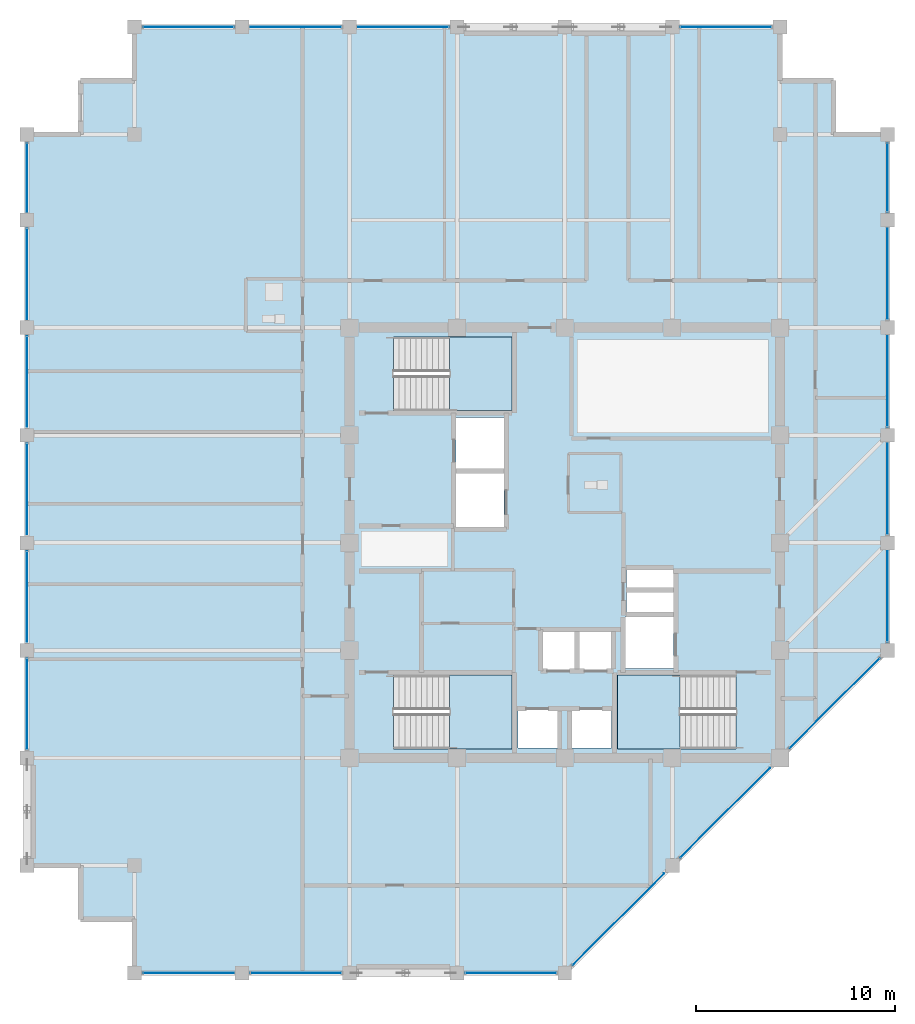
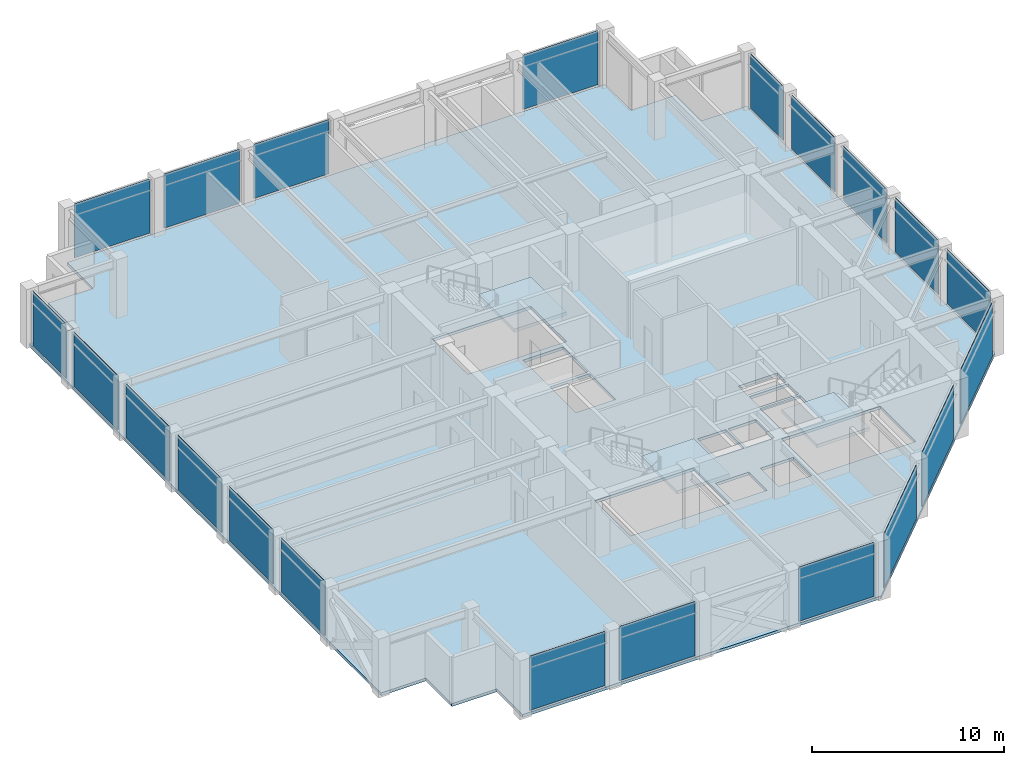
# One storey, part 23 of 30: 21 plates, 4 slabs, 10 elements without a shape of their own.
"""IFC4 building model written with IfcOpenShell, lengths in metres."""

from ifc_helpers import new_model, si_unit, direction, frame, frame_2d, origin, place, context, subcontext, project, spatial, polyline, rectangle, outline, extrude, material, layer, layer_set, type_object, element, aggregate, save


model = new_model("IFC4")

# Units and contexts
model_context = context("Model", 3, precision=1e-05, world=origin(), true_north=direction((0.0, 1.0)))
body_context = subcontext(model_context, "Body", "Model", "MODEL_VIEW")
ifc_project = project(units=[si_unit("LENGTHUNIT", "METRE"), si_unit("AREAUNIT", "SQUARE_METRE"), si_unit("VOLUMEUNIT", "CUBIC_METRE"), si_unit("PLANEANGLEUNIT", "RADIAN"), si_unit("MASSUNIT", "GRAM", prefix="KILO")], contexts=[model_context])

# Site, building, storey
site_placement = place(None, origin())
site = spatial("IfcSite", under=ifc_project, at=site_placement, CompositionType="ELEMENT")
building_placement = place(site_placement, origin())
building = spatial("IfcBuilding", under=site, at=building_placement, Name="Surkhivell Harbour Commons", CompositionType="ELEMENT")
storey_placement = place(building_placement, frame((0.0, 0.0, 292.5)))
storey = spatial("IfcBuildingStorey", under=building, at=storey_placement, Name="L76", CompositionType="ELEMENT", Elevation=292.5)

# Curtain wall, plates
ifc_material_1 = material(Name="Anodised pale-metal aluminium and insulated glazing", Category="aluminium")
ifc_layer_1 = layer(ifc_material_1, 0.175048828125)
ifc_layer_set_1 = layer_set([ifc_layer_1], Name="Anodised pale-metal aluminium and insulated glazing")
curtain_wall_type = type_object("IfcCurtainWallType", Name="CW-SYS-Z4", PredefinedType="NOTDEFINED", material=ifc_layer_set_1)
curtain_wall_1_placement = place(storey_placement, origin())
curtain_wall_1 = element("IfcCurtainWall", 1, at=curtain_wall_1_placement, inside=storey, type_object=curtain_wall_type, Name="L76 Curtain Wall CW-L76-E00S1", PredefinedType="NOTDEFINED")
ifc_material_2 = material(Name="Double-silver low-E laminated vision glass", Category="glass")
ifc_layer_2 = layer(ifc_material_2, 0.031982421875)
ifc_layer_set_2 = layer_set([ifc_layer_2], Name="Double-silver low-E laminated vision glass")
plate_type = type_object("IfcPlateType", Name="CWP-GLZ-32", PredefinedType="CURTAIN_PANEL", material=ifc_layer_set_2)
plate_1_placement = place(storey_placement, frame((-21.173095703125, -21.60009765625, 0.1298828125), z_axis=(0.0, 0.0, 1.0), x_axis=(1.0, 0.0, 0.0)))
plate_1 = element("IfcPlate", 2, at=plate_1_placement, type_object=plate_type, Name="CW-Z4 panel 1.1", PredefinedType="CURTAIN_PANEL", context=body_context, shape_type="SweptSolid", body=[
    extrude(rectangle(XDim=4.546142578125, YDim=0.031982421875, at=frame_2d((2.27294921875, 0.0))), origin(), (0.0, 0.0, 1.0), 3.440185546875),
])
plate_2_placement = place(storey_placement, frame((-15.77294921875, -21.60009765625, 0.1298828125), z_axis=(0.0, 0.0, 1.0), x_axis=(1.0, 0.0, 0.0)))
plate_2 = element("IfcPlate", 3, at=plate_2_placement, type_object=plate_type, Name="CW-Z4 panel 2.1", PredefinedType="CURTAIN_PANEL", context=body_context, shape_type="SweptSolid", body=[
    extrude(rectangle(XDim=4.5458984375, YDim=0.031982421875, at=frame_2d((2.27294921875, 0.0))), origin(), (0.0, 0.0, 1.0), 3.440185546875),
])
aggregate(curtain_wall_1, [plate_1, plate_2])

# Curtain wall, plate
curtain_wall_2_placement = place(storey_placement, origin())
curtain_wall_2 = element("IfcCurtainWall", 4, at=curtain_wall_2_placement, inside=storey, type_object=curtain_wall_type, Name="L76 Curtain Wall CW-L76-E00S2", PredefinedType="NOTDEFINED")
plate_3_placement = place(storey_placement, frame((-4.972900390625, -21.60009765625, 0.1298828125), z_axis=(0.0, 0.0, 1.0), x_axis=(1.0, 0.0, 0.0)))
plate_3 = element("IfcPlate", 5, at=plate_3_placement, type_object=plate_type, Name="CW-Z4 panel 1.1", PredefinedType="CURTAIN_PANEL", context=body_context, shape_type="SweptSolid", body=[
    extrude(rectangle(XDim=4.5458984375, YDim=0.031982421875, at=frame_2d((2.27294921875, 0.0))), origin(), (0.0, 0.0, 1.0), 3.440185546875),
])
aggregate(curtain_wall_2, [plate_3])

# Curtain wall, plates
curtain_wall_3_placement = place(storey_placement, origin())
curtain_wall_3 = element("IfcCurtainWall", 6, at=curtain_wall_3_placement, inside=storey, type_object=curtain_wall_type, Name="L76 Curtain Wall CW-L76-E01", PredefinedType="NOTDEFINED")
plate_4_placement = place(storey_placement, frame((0.404541015625, -21.1953125, 0.1298828125), z_axis=(0.0, 0.0, 1.0), x_axis=(0.707125583467, 0.707087978406, 0.0)))
plate_4 = element("IfcPlate", 7, at=plate_4_placement, type_object=plate_type, Name="CW-Z4 panel 1.1", PredefinedType="CURTAIN_PANEL", context=body_context, shape_type="SweptSolid", body=[
    extrude(rectangle(XDim=6.4921875, YDim=0.031982421875, at=frame_2d((3.24609375, 0.0))), origin(), (0.0, 0.0, 1.0), 3.440185546875),
])
plate_5_placement = place(storey_placement, frame((5.8046875, -15.79541015625, 0.1298828125), z_axis=(0.0, 0.0, 1.0), x_axis=(0.707106781187, 0.707106781187, 0.0)))
plate_5 = element("IfcPlate", 8, at=plate_5_placement, type_object=plate_type, Name="CW-Z4 panel 2.1", PredefinedType="CURTAIN_PANEL", context=body_context, shape_type="SweptSolid", body=[
    extrude(rectangle(XDim=6.350830078125, YDim=0.031982421875, at=frame_2d((3.17529296875, 0.0))), origin(), (0.0, 0.0, 1.0), 3.440185546875),
])
plate_6_placement = place(storey_placement, frame((11.3046875, -10.29541015625, 0.1298828125), z_axis=(0.0, 0.0, 1.0), x_axis=(0.707106781187, 0.707106781187, 0.0)))
plate_6 = element("IfcPlate", 9, at=plate_6_placement, type_object=plate_type, Name="CW-Z4 panel 3.1", PredefinedType="CURTAIN_PANEL", context=body_context, shape_type="SweptSolid", body=[
    extrude(rectangle(XDim=6.350830078125, YDim=0.031982421875, at=frame_2d((3.17529296875, 0.0))), origin(), (0.0, 0.0, 1.0), 3.440185546875),
])
aggregate(curtain_wall_3, [plate_4, plate_5, plate_6])

curtain_wall_4_placement = place(storey_placement, origin())
curtain_wall_4 = element("IfcCurtainWall", 10, at=curtain_wall_4_placement, inside=storey, type_object=curtain_wall_type, Name="L76 Curtain Wall CW-L76-E02", PredefinedType="NOTDEFINED")
plate_7_placement = place(storey_placement, frame((16.199951171875, -4.972900390625, 0.1298828125), z_axis=(0.0, 0.0, 1.0), x_axis=(0.0, 1.0, 0.0)))
plate_7 = element("IfcPlate", 11, at=plate_7_placement, type_object=plate_type, Name="CW-Z4 panel 1.1", PredefinedType="CURTAIN_PANEL", context=body_context, shape_type="SweptSolid", body=[
    extrude(rectangle(XDim=4.5458984375, YDim=0.031982421875, at=frame_2d((2.27294921875, 0.0))), origin(), (0.0, 0.0, 1.0), 3.440185546875),
])
plate_8_placement = place(storey_placement, frame((16.199951171875, 0.427001953125, 0.1298828125), z_axis=(0.0, 0.0, 1.0), x_axis=(0.0, 1.0, 0.0)))
plate_8 = element("IfcPlate", 12, at=plate_8_placement, type_object=plate_type, Name="CW-Z4 panel 2.1", PredefinedType="CURTAIN_PANEL", context=body_context, shape_type="SweptSolid", body=[
    extrude(rectangle(XDim=4.5458984375, YDim=0.031982421875, at=frame_2d((2.27294921875, 0.0))), origin(), (0.0, 0.0, 1.0), 3.440185546875),
])
plate_9_placement = place(storey_placement, frame((16.199951171875, 5.826904296875, 0.1298828125), z_axis=(0.0, 0.0, 1.0), x_axis=(0.0, 1.0, 0.0)))
plate_9 = element("IfcPlate", 13, at=plate_9_placement, type_object=plate_type, Name="CW-Z4 panel 3.1", PredefinedType="CURTAIN_PANEL", context=body_context, shape_type="SweptSolid", body=[
    extrude(rectangle(XDim=4.546142578125, YDim=0.031982421875, at=frame_2d((2.27294921875, 0.0))), origin(), (0.0, 0.0, 1.0), 3.440185546875),
])
plate_10_placement = place(storey_placement, frame((16.199951171875, 11.22705078125, 0.1298828125), z_axis=(0.0, 0.0, 1.0), x_axis=(0.0, 1.0, 0.0)))
plate_10 = element("IfcPlate", 14, at=plate_10_placement, type_object=plate_type, Name="CW-Z4 panel 4.1", PredefinedType="CURTAIN_PANEL", context=body_context, shape_type="SweptSolid", body=[
    extrude(rectangle(XDim=4.5458984375, YDim=0.031982421875, at=frame_2d((2.27294921875, 0.0))), origin(), (0.0, 0.0, 1.0), 3.440185546875),
])
plate_11_placement = place(storey_placement, frame((16.199951171875, 16.626953125, 0.1298828125), z_axis=(0.0, 0.0, 1.0), x_axis=(0.0, 1.0, 0.0)))
plate_11 = element("IfcPlate", 15, at=plate_11_placement, type_object=plate_type, Name="CW-Z4 panel 5.1", PredefinedType="CURTAIN_PANEL", context=body_context, shape_type="SweptSolid", body=[
    extrude(rectangle(XDim=3.446044921875, YDim=0.031982421875, at=frame_2d((1.72314453125, 0.0))), origin(), (0.0, 0.0, 1.0), 3.440185546875),
])
aggregate(curtain_wall_4, [plate_7, plate_8, plate_9, plate_10, plate_11])

# Curtain wall, plate
curtain_wall_5_placement = place(storey_placement, origin())
curtain_wall_5 = element("IfcCurtainWall", 16, at=curtain_wall_5_placement, inside=storey, type_object=curtain_wall_type, Name="L76 Curtain Wall CW-L76-E07S1", PredefinedType="NOTDEFINED")
plate_12_placement = place(storey_placement, frame((10.373046875, 25.89990234375, 0.1298828125), z_axis=(0.0, 0.0, 1.0), x_axis=(-1.0, 0.0, 0.0)))
plate_12 = element("IfcPlate", 17, at=plate_12_placement, type_object=plate_type, Name="CW-Z4 panel 1.1", PredefinedType="CURTAIN_PANEL", context=body_context, shape_type="SweptSolid", body=[
    extrude(rectangle(XDim=4.546142578125, YDim=0.031982421875, at=frame_2d((2.27294921875, 0.0))), origin(), (0.0, 0.0, 1.0), 3.440185546875),
])
aggregate(curtain_wall_5, [plate_12])

# Curtain wall, plates
curtain_wall_6_placement = place(storey_placement, origin())
curtain_wall_6 = element("IfcCurtainWall", 18, at=curtain_wall_6_placement, inside=storey, type_object=curtain_wall_type, Name="L76 Curtain Wall CW-L76-E07S2", PredefinedType="NOTDEFINED")
plate_13_placement = place(storey_placement, frame((-5.826904296875, 25.89990234375, 0.1298828125), z_axis=(0.0, 0.0, 1.0), x_axis=(-1.0, 0.0, 0.0)))
plate_13 = element("IfcPlate", 19, at=plate_13_placement, type_object=plate_type, Name="CW-Z4 panel 1.1", PredefinedType="CURTAIN_PANEL", context=body_context, shape_type="SweptSolid", body=[
    extrude(rectangle(XDim=4.546142578125, YDim=0.031982421875, at=frame_2d((2.27294921875, 0.0))), origin(), (0.0, 0.0, 1.0), 3.440185546875),
])
plate_14_placement = place(storey_placement, frame((-11.22705078125, 25.89990234375, 0.1298828125), z_axis=(0.0, 0.0, 1.0), x_axis=(-1.0, 0.0, 0.0)))
plate_14 = element("IfcPlate", 20, at=plate_14_placement, type_object=plate_type, Name="CW-Z4 panel 2.1", PredefinedType="CURTAIN_PANEL", context=body_context, shape_type="SweptSolid", body=[
    extrude(rectangle(XDim=4.5458984375, YDim=0.031982421875, at=frame_2d((2.27294921875, 0.0))), origin(), (0.0, 0.0, 1.0), 3.440185546875),
])
plate_15_placement = place(storey_placement, frame((-16.626953125, 25.89990234375, 0.1298828125), z_axis=(0.0, 0.0, 1.0), x_axis=(-1.0, 0.0, 0.0)))
plate_15 = element("IfcPlate", 21, at=plate_15_placement, type_object=plate_type, Name="CW-Z4 panel 3.1", PredefinedType="CURTAIN_PANEL", context=body_context, shape_type="SweptSolid", body=[
    extrude(rectangle(XDim=4.546142578125, YDim=0.031982421875, at=frame_2d((2.27294921875, 0.0))), origin(), (0.0, 0.0, 1.0), 3.440185546875),
])
aggregate(curtain_wall_6, [plate_13, plate_14, plate_15])

curtain_wall_7_placement = place(storey_placement, origin())
curtain_wall_7 = element("IfcCurtainWall", 22, at=curtain_wall_7_placement, inside=storey, type_object=curtain_wall_type, Name="L76 Curtain Wall CW-L76-E12S1", PredefinedType="NOTDEFINED")
plate_16_placement = place(storey_placement, frame((-27.0, 20.072998046875, 0.1298828125), z_axis=(0.0, 0.0, 1.0), x_axis=(0.0, -1.0, 0.0)))
plate_16 = element("IfcPlate", 23, at=plate_16_placement, type_object=plate_type, Name="CW-Z4 panel 1.1", PredefinedType="CURTAIN_PANEL", context=body_context, shape_type="SweptSolid", body=[
    extrude(rectangle(XDim=3.446044921875, YDim=0.031982421875, at=frame_2d((1.72314453125, 0.0))), origin(), (0.0, 0.0, 1.0), 3.440185546875),
])
plate_17_placement = place(storey_placement, frame((-27.0, 15.77294921875, 0.1298828125), z_axis=(0.0, 0.0, 1.0), x_axis=(0.0, -1.0, 0.0)))
plate_17 = element("IfcPlate", 24, at=plate_17_placement, type_object=plate_type, Name="CW-Z4 panel 2.1", PredefinedType="CURTAIN_PANEL", context=body_context, shape_type="SweptSolid", body=[
    extrude(rectangle(XDim=4.5458984375, YDim=0.031982421875, at=frame_2d((2.27294921875, 0.0))), origin(), (0.0, 0.0, 1.0), 3.440185546875),
])
plate_18_placement = place(storey_placement, frame((-27.0, 10.373046875, 0.1298828125), z_axis=(0.0, 0.0, 1.0), x_axis=(0.0, -1.0, 0.0)))
plate_18 = element("IfcPlate", 25, at=plate_18_placement, type_object=plate_type, Name="CW-Z4 panel 3.1", PredefinedType="CURTAIN_PANEL", context=body_context, shape_type="SweptSolid", body=[
    extrude(rectangle(XDim=4.546142578125, YDim=0.031982421875, at=frame_2d((2.27294921875, 0.0))), origin(), (0.0, 0.0, 1.0), 3.440185546875),
])
plate_19_placement = place(storey_placement, frame((-27.0, 4.972900390625, 0.1298828125), z_axis=(0.0, 0.0, 1.0), x_axis=(0.0, -1.0, 0.0)))
plate_19 = element("IfcPlate", 26, at=plate_19_placement, type_object=plate_type, Name="CW-Z4 panel 4.1", PredefinedType="CURTAIN_PANEL", context=body_context, shape_type="SweptSolid", body=[
    extrude(rectangle(XDim=4.5458984375, YDim=0.031982421875, at=frame_2d((2.27294921875, 0.0))), origin(), (0.0, 0.0, 1.0), 3.440185546875),
])
plate_20_placement = place(storey_placement, frame((-27.0, -0.427001953125, 0.1298828125), z_axis=(0.0, 0.0, 1.0), x_axis=(0.0, -1.0, 0.0)))
plate_20 = element("IfcPlate", 27, at=plate_20_placement, type_object=plate_type, Name="CW-Z4 panel 5.1", PredefinedType="CURTAIN_PANEL", context=body_context, shape_type="SweptSolid", body=[
    extrude(rectangle(XDim=4.5458984375, YDim=0.031982421875, at=frame_2d((2.27294921875, 0.0))), origin(), (0.0, 0.0, 1.0), 3.440185546875),
])
plate_21_placement = place(storey_placement, frame((-27.0, -5.826904296875, 0.1298828125), z_axis=(0.0, 0.0, 1.0), x_axis=(0.0, -1.0, 0.0)))
plate_21 = element("IfcPlate", 28, at=plate_21_placement, type_object=plate_type, Name="CW-Z4 panel 6.1", PredefinedType="CURTAIN_PANEL", context=body_context, shape_type="SweptSolid", body=[
    extrude(rectangle(XDim=4.546142578125, YDim=0.031982421875, at=frame_2d((2.27294921875, 0.0))), origin(), (0.0, 0.0, 1.0), 3.440185546875),
])
aggregate(curtain_wall_7, [plate_16, plate_17, plate_18, plate_19, plate_20, plate_21])

# Stair, slab
ifc_material_3 = material(Name="Precast concrete C45/55", Category="concrete")
stair_type = type_object("IfcStairType", Name="STR-DL-375", PredefinedType="HALF_TURN_STAIR", material=ifc_material_3)
stair_1_placement = place(storey_placement, origin())
stair_1 = element("IfcStair", 29, at=stair_1_placement, inside=storey, type_object=stair_type, Name="L76 Core Exit Stair ST1", PredefinedType="HALF_TURN_STAIR")
ifc_material_4 = material(Name="Reinforced concrete C45/55", Category="concrete")
ifc_layer_3 = layer(ifc_material_4, 0.199951171875)
ifc_layer_set_3 = layer_set([ifc_layer_3], Name="Reinforced concrete C45/55")
slab_type_1 = type_object("IfcSlabType", Name="SLB-ST-LND200", PredefinedType="LANDING", material=ifc_layer_set_3)
slab_1_placement = place(storey_placement, frame((0.0, 0.0, 1.675048828125)))
slab_1 = element("IfcSlab", 30, at=slab_1_placement, type_object=slab_type_1, Name="ST1 landing 1", PredefinedType="LANDING", context=body_context, shape_type="SweptSolid", body=[
    extrude(outline(polyline([(-5.7900390625, 6.639892578125), (-2.639892578125, 6.639892578125), (-2.639892578125, 10.340087890625), (-5.7900390625, 10.340087890625), (-5.7900390625, 6.639892578125)])), origin(), (0.0, 0.0, 1.0), 0.199951171875),
])
aggregate(stair_1, [slab_1])

stair_2_placement = place(storey_placement, origin())
stair_2 = element("IfcStair", 31, at=stair_2_placement, inside=storey, type_object=stair_type, Name="L76 Core Exit Stair ST2", PredefinedType="HALF_TURN_STAIR")
slab_2_placement = place(storey_placement, frame((0.0, 0.0, 1.675048828125)))
slab_2 = element("IfcSlab", 32, at=slab_2_placement, type_object=slab_type_1, Name="ST2 landing 1", PredefinedType="LANDING", context=body_context, shape_type="SweptSolid", body=[
    extrude(outline(polyline([(5.7900390625, -6.639892578125), (2.639892578125, -6.639892578125), (2.639892578125, -10.340087890625), (5.7900390625, -10.340087890625), (5.7900390625, -6.639892578125)])), origin(), (0.0, 0.0, 1.0), 0.199951171875),
])
aggregate(stair_2, [slab_2])

stair_3_placement = place(storey_placement, origin())
stair_3 = element("IfcStair", 33, at=stair_3_placement, inside=storey, type_object=stair_type, Name="L76 Core Exit Stair ST3", PredefinedType="HALF_TURN_STAIR")
slab_3_placement = place(storey_placement, frame((0.0, 0.0, 1.675048828125)))
slab_3 = element("IfcSlab", 34, at=slab_3_placement, type_object=slab_type_1, Name="ST3 landing 1", PredefinedType="LANDING", context=body_context, shape_type="SweptSolid", body=[
    extrude(outline(polyline([(-5.7900390625, -10.340087890625), (-2.639892578125, -10.340087890625), (-2.639892578125, -6.639892578125), (-5.7900390625, -6.639892578125), (-5.7900390625, -10.340087890625)])), origin(), (0.0, 0.0, 1.0), 0.199951171875),
])
aggregate(stair_3, [slab_3])

# Slab
ifc_material_5 = material(Name="Concrete C45/55", Category="concrete")
ifc_layer_4 = layer(ifc_material_5, 0.179931640625)
ifc_layer_set_4 = layer_set([ifc_layer_4], Name="Concrete C45/55")
slab_type_2 = type_object("IfcSlabType", Name="SLB-TYP-180", PredefinedType="FLOOR", material=ifc_layer_set_4)
slab_4_placement = place(storey_placement, frame((0.0, 0.0, -0.179931640625)))
element("IfcSlab", 35, at=slab_4_placement, inside=storey, type_object=slab_type_2, Name="L76 Structural Floor Slab", PredefinedType="FLOOR", context=body_context, shape_type="SweptSolid", body=[
    extrude(outline(polyline([(-21.60009765625, -21.60009765625), (0.0, -21.60009765625), (16.199951171875, -5.39990234375), (16.199951171875, 20.5), (13.5, 20.5), (13.5, 23.199951171875), (10.800048828125, 23.199951171875), (10.800048828125, 25.89990234375), (-21.60009765625, 25.89990234375), (-21.60009765625, 23.199951171875), (-24.300048828125, 23.199951171875), (-24.300048828125, 20.5), (-27.0, 20.5), (-27.0, -16.199951171875), (-24.300048828125, -16.199951171875), (-24.300048828125, -18.89990234375), (-21.60009765625, -18.89990234375), (-21.60009765625, -21.60009765625)]), holes=[polyline([(-8.590087890625, 6.639892578125), (-2.639892578125, 6.639892578125), (-2.639892578125, 10.340087890625), (-8.590087890625, 10.340087890625), (-8.590087890625, 6.639892578125)]), polyline([(8.590087890625, -6.639892578125), (2.639892578125, -6.639892578125), (2.639892578125, -10.340087890625), (8.590087890625, -10.340087890625), (8.590087890625, -6.639892578125)]), polyline([(-8.590087890625, -10.340087890625), (-2.639892578125, -10.340087890625), (-2.639892578125, -6.639892578125), (-8.590087890625, -6.639892578125), (-8.590087890625, -10.340087890625)]), polyline([(-1.14990234375, -6.35009765625), (0.550048828125, -6.35009765625), (0.550048828125, -4.449951171875), (-1.14990234375, -4.449951171875), (-1.14990234375, -6.35009765625)]), polyline([(0.679931640625, -6.35009765625), (2.3798828125, -6.35009765625), (2.3798828125, -4.449951171875), (0.679931640625, -4.449951171875), (0.679931640625, -6.35009765625)]), polyline([(-2.35009765625, -10.300048828125), (-0.35009765625, -10.300048828125), (-0.35009765625, -8.39990234375), (-2.35009765625, -8.39990234375), (-2.35009765625, -10.300048828125)]), polyline([(0.35009765625, -10.300048828125), (2.35009765625, -10.300048828125), (2.35009765625, -8.39990234375), (0.35009765625, -8.39990234375), (0.35009765625, -10.300048828125)]), polyline([(-5.449951171875, 3.699951171875), (-3.050048828125, 3.699951171875), (-3.050048828125, 6.300048828125), (-5.449951171875, 6.300048828125), (-5.449951171875, 3.699951171875)]), polyline([(3.050048828125, -6.300048828125), (5.449951171875, -6.300048828125), (5.449951171875, -3.699951171875), (3.050048828125, -3.699951171875), (3.050048828125, -6.300048828125)]), polyline([(-5.449951171875, 0.800048828125), (-3.050048828125, 0.800048828125), (-3.050048828125, 3.5), (-5.449951171875, 3.5), (-5.449951171875, 0.800048828125)]), polyline([(3.10009765625, -3.550048828125), (5.449951171875, -3.550048828125), (5.449951171875, -2.47998046875), (3.10009765625, -2.47998046875), (3.10009765625, -3.550048828125)]), polyline([(3.10009765625, -2.280029296875), (5.449951171875, -2.280029296875), (5.449951171875, -1.35009765625), (3.10009765625, -1.35009765625), (3.10009765625, -2.280029296875)])]), origin(), (0.0, 0.0, 1.0), 0.179931640625),
])

save(model, "model.ifc")
